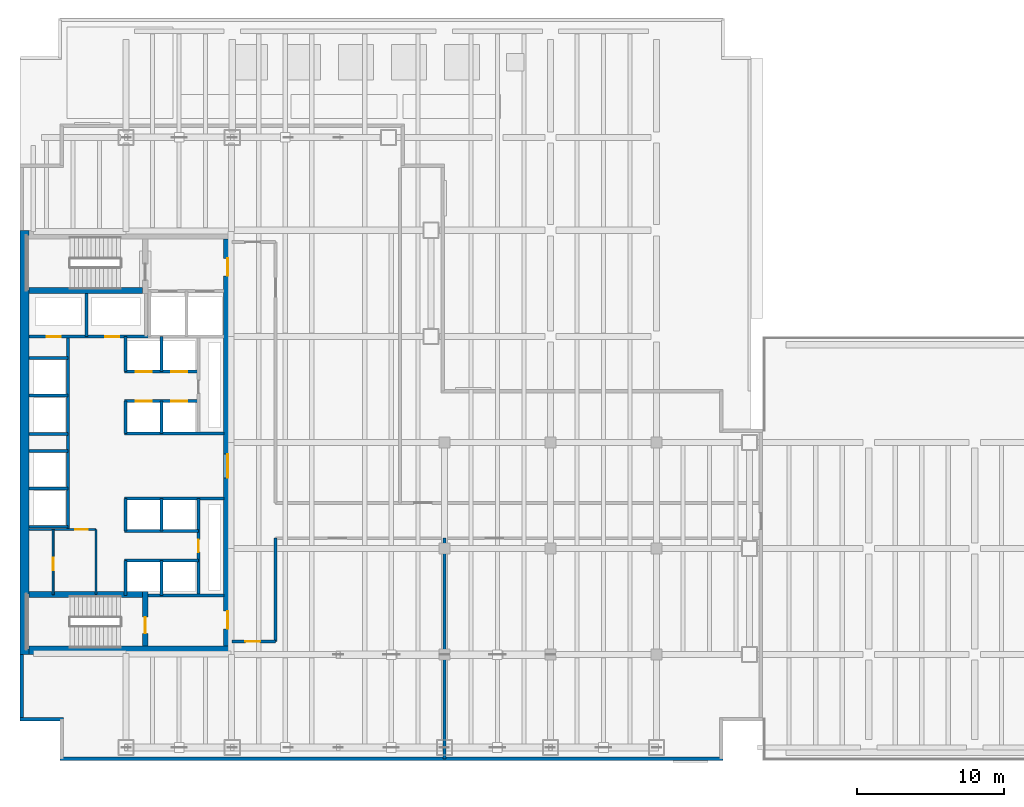
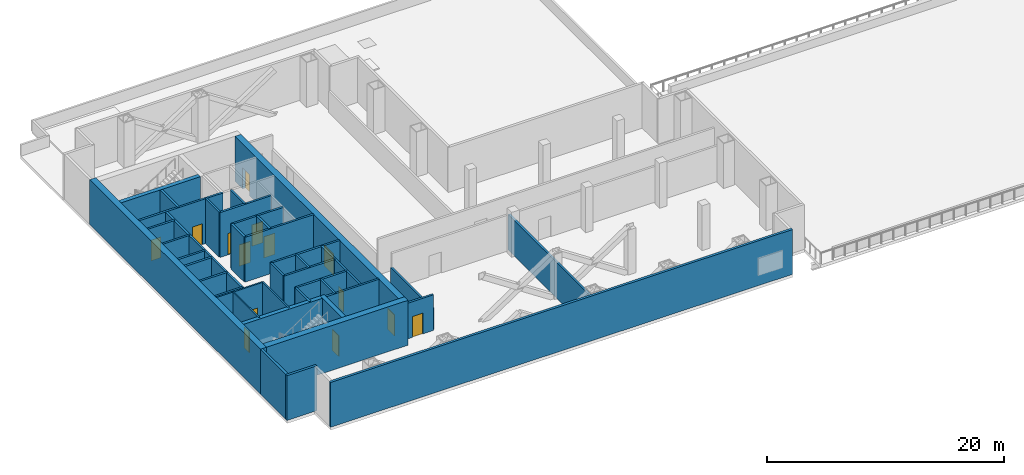
# One storey, part 7 of 12: 40 walls, 14 doors, 14 openings.
"""IFC4 building model written with IfcOpenShell, lengths in metres."""

from ifc_helpers import new_model, si_unit, direction, frame, frame_2d, origin, place, context, subcontext, project, spatial, rectangle, extrude, material, layer, layer_set, type_object, element, fill, save


model = new_model("IFC4")

# Units and contexts
model_context = context("Model", 3, precision=1e-05, world=origin(), true_north=direction((0.0, 1.0)))
body_context = subcontext(model_context, "Body", "Model", "MODEL_VIEW")
ifc_project = project(units=[si_unit("LENGTHUNIT", "METRE"), si_unit("AREAUNIT", "SQUARE_METRE"), si_unit("VOLUMEUNIT", "CUBIC_METRE"), si_unit("PLANEANGLEUNIT", "RADIAN"), si_unit("MASSUNIT", "GRAM", prefix="KILO")], contexts=[model_context])

# Site, building, storey
site_placement = place(None, origin())
site = spatial("IfcSite", under=ifc_project, at=site_placement, CompositionType="ELEMENT")
building_placement = place(site_placement, origin())
building = spatial("IfcBuilding", under=site, at=building_placement, Name="Cobrela Telecom Tower", CompositionType="ELEMENT")
storey_placement = place(building_placement, frame((0.0, 0.0, 26.25)))
storey = spatial("IfcBuildingStorey", under=building, at=storey_placement, Name="L06", CompositionType="ELEMENT", Elevation=26.25)

# Walls
ifc_material_1 = material(Name="Concrete C50/60", Category="concrete")
ifc_layer_1 = layer(ifc_material_1, 0.60009765625)
ifc_layer_set_1 = layer_set([ifc_layer_1], Name="Concrete C50/60")
wall_type_1 = type_object("IfcWallType", Name="WALL-CORE-C50-600", PredefinedType="SHEAR", material=ifc_layer_set_1)
wall_1_placement = place(storey_placement, frame((0.300048828125, 7.199951171875, 0.0), z_axis=(0.0, 0.0, 1.0), x_axis=(0.0, 1.0, 0.0)))
element("IfcWall", 1, at=wall_1_placement, inside=storey, type_object=wall_type_1, Name="L06 West Core Shear Wall", PredefinedType="SHEAR", context=body_context, shape_type="SweptSolid", body=[
    extrude(rectangle(XDim=28.800048828125, YDim=0.60009765625, at=frame_2d((14.39990234375, 0.0))), origin(), (0.0, 0.0, 1.0), 4.6201171875),
])
wall_2_placement = place(storey_placement, frame((0.60009765625, 7.5, 0.0), z_axis=(0.0, 0.0, 1.0), x_axis=(1.0, 0.0, 0.0)))
element("IfcWall", 2, at=wall_2_placement, inside=storey, type_object=wall_type_1, Name="L06 South Core Shear Wall", PredefinedType="SHEAR", context=body_context, shape_type="SweptSolid", body=[
    extrude(rectangle(XDim=13.7998046875, YDim=0.60009765625, at=frame_2d((6.89990234375, 0.0))), origin(), (0.0, 0.0, 1.0), 4.6201171875),
])

# Wall, openings, doors
wall_3_placement = place(storey_placement, frame((14.10009765625, 35.39990234375, 0.0), z_axis=(0.0, 0.0, 1.0), x_axis=(0.0, -1.0, 0.0)))
wall_3 = element("IfcWall", 3, at=wall_3_placement, inside=storey, type_object=wall_type_1, Name="L06 East Core Shear Wall", PredefinedType="SHEAR", context=body_context, shape_type="SweptSolid", body=[
    extrude(rectangle(XDim=27.599853515625, YDim=0.60009765625, at=frame_2d((13.7998046875, 0.0))), origin(), (0.0, 0.0, 1.0), 4.6201171875),
])
opening_1_placement = place(wall_3_placement, frame((1.300048828125, 0.0, 0.0)))
opening_1 = element("IfcOpeningElement", 4, at=opening_1_placement, cuts=wall_3, Name="Opening DR-19", PredefinedType="OPENING", context=body_context, shape_type="SweptSolid", body=[
    extrude(rectangle(XDim=1.199951171875, YDim=2.14990234375, at=frame_2d((0.60009765625, 1.074951171875))), frame((0.0, 0.31201171875, 0.0), z_axis=(0.0, -1.0, 0.0), x_axis=(1.0, 0.0, 0.0)), (0.0, 0.0, 1.0), 0.6240234375),
])
opening_2_placement = place(wall_3_placement, frame((25.25, 0.0, 0.0)))
opening_2 = element("IfcOpeningElement", 5, at=opening_2_placement, cuts=wall_3, Name="Opening DR-19", PredefinedType="OPENING", context=body_context, shape_type="SweptSolid", body=[
    extrude(rectangle(XDim=1.199951171875, YDim=2.14990234375, at=frame_2d((0.60009765625, 1.074951171875))), frame((0.0, 0.31201171875, 0.0), z_axis=(0.0, -1.0, 0.0), x_axis=(1.0, 0.0, 0.0)), (0.0, 0.0, 1.0), 0.6240234375),
])
opening_3_placement = place(wall_3_placement, frame((14.60009765625, 0.0, 0.0)))
opening_3 = element("IfcOpeningElement", 6, at=opening_3_placement, cuts=wall_3, Name="Opening DR-51", PredefinedType="OPENING", context=body_context, shape_type="SweptSolid", body=[
    extrude(rectangle(XDim=1.60009765625, YDim=2.199951171875, at=frame_2d((0.800048828125, 1.10009765625))), frame((0.0, 0.31201171875, 0.0), z_axis=(0.0, -1.0, 0.0), x_axis=(1.0, 0.0, 0.0)), (0.0, 0.0, 1.0), 0.6240234375),
])
ifc_material_2 = material(Name="Steel ASTM A36", Category="steel")
door_type_1 = type_object("IfcDoorType", Name="DOOR-FD60-1200", OperationType="SINGLE_SWING_LEFT", PredefinedType="DOOR", material=ifc_material_2)
door_1_placement = place(opening_1_placement, origin())
door_1 = element("IfcDoor", 7, at=door_1_placement, inside=storey, type_object=door_type_1, Name="L06 Door DR-19", OperationType="SINGLE_SWING_LEFT", OverallHeight=2.14990234375, OverallWidth=1.199951171875, PredefinedType="DOOR", context=body_context, shape_type="SweptSolid", body=[
    extrude(rectangle(XDim=1.199951171875, YDim=2.14990234375, at=frame_2d((0.60009765625, 1.074951171875))), frame((0.0, 0.02490234375, 0.0), z_axis=(0.0, -1.0, 0.0), x_axis=(1.0, 0.0, 0.0)), (0.0, 0.0, 1.0), 0.050048828125),
])
fill(opening_1, door_1)
door_2_placement = place(opening_2_placement, origin())
door_2 = element("IfcDoor", 8, at=door_2_placement, inside=storey, type_object=door_type_1, Name="L06 Door DR-19", OperationType="SINGLE_SWING_RIGHT", OverallHeight=2.14990234375, OverallWidth=1.199951171875, PredefinedType="DOOR", context=body_context, shape_type="SweptSolid", body=[
    extrude(rectangle(XDim=1.199951171875, YDim=2.14990234375, at=frame_2d((0.60009765625, 1.074951171875))), frame((0.0, 0.02490234375, 0.0), z_axis=(0.0, -1.0, 0.0), x_axis=(1.0, 0.0, 0.0)), (0.0, 0.0, 1.0), 0.050048828125),
])
fill(opening_2, door_2)
door_type_2 = type_object("IfcDoorType", Name="DOOR-FD60-1600", OperationType="SINGLE_SWING_LEFT", PredefinedType="DOOR", material=ifc_material_2)
door_3_placement = place(opening_3_placement, origin())
door_3 = element("IfcDoor", 9, at=door_3_placement, inside=storey, type_object=door_type_2, Name="L06 Door DR-51", OperationType="DOUBLE_DOOR_SINGLE_SWING", OverallHeight=2.199951171875, OverallWidth=1.60009765625, PredefinedType="DOOR", context=body_context, shape_type="SweptSolid", body=[
    extrude(rectangle(XDim=1.60009765625, YDim=2.199951171875, at=frame_2d((0.800048828125, 1.10009765625))), frame((0.0, 0.02490234375, 0.0), z_axis=(0.0, -1.0, 0.0), x_axis=(1.0, 0.0, 0.0)), (0.0, 0.0, 1.0), 0.050048828125),
])
fill(opening_3, door_3)

# Walls
ifc_material_3 = material(Name="Concrete C40/50", Category="concrete")
ifc_layer_2 = layer(ifc_material_3, 0.239990234375)
ifc_layer_set_2 = layer_set([ifc_layer_2], Name="Concrete C40/50")
wall_type_2 = type_object("IfcWallType", Name="WALL-EXT-300", PredefinedType="STANDARD", material=ifc_layer_set_2)
wall_4_placement = place(storey_placement, frame((2.93994140625, 2.820068359375, 0.0), z_axis=(0.0, 0.0, 1.0), x_axis=(-1.0, 0.0, 0.0)))
element("IfcWall", 10, at=wall_4_placement, inside=storey, type_object=wall_type_2, Name="L06 Plant Acoustic Exterior Wall 02", PredefinedType="STANDARD", context=body_context, shape_type="SweptSolid", body=[
    extrude(rectangle(XDim=2.93994140625, YDim=0.239990234375, at=frame_2d((1.469970703125, 0.0))), origin(), (0.0, 0.0, 1.0), 4.6201171875),
])
wall_5_placement = place(storey_placement, frame((0.1201171875, 2.820068359375, 0.0), z_axis=(0.0, 0.0, 1.0), x_axis=(0.0, 1.0, 0.0)))
element("IfcWall", 11, at=wall_5_placement, inside=storey, type_object=wall_type_2, Name="L06 Plant Acoustic Exterior Wall 03", PredefinedType="STANDARD", context=body_context, shape_type="SweptSolid", body=[
    extrude(rectangle(XDim=4.3798828125, YDim=0.239990234375, at=frame_2d((2.18994140625, 0.0))), origin(), (0.0, 0.0, 1.0), 4.6201171875),
])
wall_6_placement = place(storey_placement, frame((47.699951171875, 0.1201171875, 0.0), z_axis=(0.0, 0.0, 1.0), x_axis=(-1.0, 0.0, 0.0)))
element("IfcWall", 12, at=wall_6_placement, inside=storey, type_object=wall_type_2, Name="L06 Plant Acoustic Exterior Wall 17", PredefinedType="STANDARD", context=body_context, shape_type="SweptSolid", body=[
    extrude(rectangle(XDim=45.0, YDim=0.239990234375, at=frame_2d((22.5, 0.0))), origin(), (0.0, 0.0, 1.0), 4.6201171875),
])

# Wall, opening, door
ifc_material_4 = material(Name="Fire-Rated Gypsum Plasterboard")
ifc_layer_3 = layer(ifc_material_4, 0.125)
ifc_layer_set_3 = layer_set([ifc_layer_3], Name="Fire-Rated Gypsum Plasterboard")
wall_type_3 = type_object("IfcWallType", Name="WALL-PART-125", PredefinedType="PARTITIONING", material=ifc_layer_set_3)
wall_7_placement = place(storey_placement, frame((2.25, 11.280029296875, 0.0), z_axis=(0.0, 0.0, 1.0), x_axis=(0.0, 1.0, 0.0)))
wall_7 = element("IfcWall", 13, at=wall_7_placement, inside=storey, type_object=wall_type_3, Name="L06 Interior Partition CW-FK0-V", PredefinedType="PARTITIONING", context=body_context, shape_type="SweptSolid", body=[
    extrude(rectangle(XDim=4.419921875, YDim=0.125, at=frame_2d((2.2099609375, 0.0))), origin(), (0.0, 0.0, 1.0), 4.6201171875),
])
opening_4_placement = place(wall_7_placement, frame((1.64990234375, 0.0, 0.0)))
opening_4 = element("IfcOpeningElement", 14, at=opening_4_placement, cuts=wall_7, Name="Opening DR-11", PredefinedType="OPENING", context=body_context, shape_type="SweptSolid", body=[
    extrude(rectangle(XDim=0.85009765625, YDim=2.14990234375, at=frame_2d((0.425048828125, 1.074951171875))), frame((0.0, 0.074462890625, 0.0), z_axis=(0.0, -1.0, 0.0), x_axis=(1.0, 0.0, 0.0)), (0.0, 0.0, 1.0), 0.14892578125),
])
ifc_material_5 = material(Name="Solid Engineered Oak Timber", Category="wood")
door_type_3 = type_object("IfcDoorType", Name="DOOR-INT-850", OperationType="SINGLE_SWING_LEFT", PredefinedType="DOOR", material=ifc_material_5)
door_4_placement = place(opening_4_placement, origin())
door_4 = element("IfcDoor", 15, at=door_4_placement, inside=storey, type_object=door_type_3, Name="L06 Door DR-11", OperationType="SINGLE_SWING_LEFT", OverallHeight=2.14990234375, OverallWidth=0.85009765625, PredefinedType="DOOR", context=body_context, shape_type="SweptSolid", body=[
    extrude(rectangle(XDim=0.85009765625, YDim=2.14990234375, at=frame_2d((0.425048828125, 1.074951171875))), frame((0.0, 0.02490234375, 0.0), z_axis=(0.0, -1.0, 0.0), x_axis=(1.0, 0.0, 0.0)), (0.0, 0.0, 1.0), 0.050048828125),
])
fill(opening_4, door_4)

ifc_layer_4 = layer(ifc_material_4, 0.14990234375)
ifc_layer_set_4 = layer_set([ifc_layer_4], Name="Fire-Rated Gypsum Plasterboard")
wall_type_4 = type_object("IfcWallType", Name="WALL-PART-150", PredefinedType="PARTITIONING", material=ifc_layer_set_4)
wall_8_placement = place(storey_placement, frame((0.60009765625, 15.699951171875, 0.0), z_axis=(0.0, 0.0, 1.0), x_axis=(1.0, 0.0, 0.0)))
wall_8 = element("IfcWall", 16, at=wall_8_placement, inside=storey, type_object=wall_type_4, Name="L06 Interior Partition CW-FLEX-N", PredefinedType="PARTITIONING", context=body_context, shape_type="SweptSolid", body=[
    extrude(rectangle(XDim=4.5498046875, YDim=0.14990234375, at=frame_2d((2.27490234375, 0.0))), origin(), (0.0, 0.0, 1.0), 4.6201171875),
])
opening_5_placement = place(wall_8_placement, frame((3.14990234375, 0.0, 0.0)))
opening_5 = element("IfcOpeningElement", 17, at=opening_5_placement, cuts=wall_8, Name="Opening DR-11", PredefinedType="OPENING", context=body_context, shape_type="SweptSolid", body=[
    extrude(rectangle(XDim=0.85009765625, YDim=2.14990234375, at=frame_2d((0.425048828125, 1.074951171875))), frame((0.0, 0.0869140625, 0.0), z_axis=(0.0, -1.0, 0.0), x_axis=(1.0, 0.0, 0.0)), (0.0, 0.0, 1.0), 0.173828125),
])
door_5_placement = place(opening_5_placement, origin())
door_5 = element("IfcDoor", 18, at=door_5_placement, inside=storey, type_object=door_type_3, Name="L06 Door DR-11", OperationType="SINGLE_SWING_RIGHT", OverallHeight=2.14990234375, OverallWidth=0.85009765625, PredefinedType="DOOR", context=body_context, shape_type="SweptSolid", body=[
    extrude(rectangle(XDim=0.85009765625, YDim=2.14990234375, at=frame_2d((0.425048828125, 1.074951171875))), frame((0.0, 0.02490234375, 0.0), z_axis=(0.0, -1.0, 0.0), x_axis=(1.0, 0.0, 0.0)), (0.0, 0.0, 1.0), 0.050048828125),
])
fill(opening_5, door_5)

# Walls
wall_9_placement = place(storey_placement, frame((5.14990234375, 11.280029296875, 0.0), z_axis=(0.0, 0.0, 1.0), x_axis=(0.0, 1.0, 0.0)))
element("IfcWall", 19, at=wall_9_placement, inside=storey, type_object=wall_type_4, Name="L06 Interior Partition CW-FLEX-E", PredefinedType="PARTITIONING", context=body_context, shape_type="SweptSolid", body=[
    extrude(rectangle(XDim=4.419921875, YDim=0.14990234375, at=frame_2d((2.2099609375, 0.0))), origin(), (0.0, 0.0, 1.0), 4.6201171875),
])
ifc_layer_5 = layer(ifc_material_4, 0.199951171875)
ifc_layer_set_5 = layer_set([ifc_layer_5], Name="Fire-Rated Gypsum Plasterboard")
wall_type_5 = type_object("IfcWallType", Name="WALL-SHAFT-200", PredefinedType="PARTITIONING", material=ifc_layer_set_5)
wall_10_placement = place(storey_placement, frame((8.699951171875, 11.199951171875, 0.0), z_axis=(0.0, 0.0, 1.0), x_axis=(1.0, 0.0, 0.0)))
element("IfcWall", 20, at=wall_10_placement, inside=storey, type_object=wall_type_5, Name="L06 Shaft Enclosure CW-ST2L-N", PredefinedType="PARTITIONING", context=body_context, shape_type="SweptSolid", body=[
    extrude(rectangle(XDim=5.150146484375, YDim=0.199951171875, at=frame_2d((2.5751953125, 0.0))), origin(), (0.0, 0.0, 1.0), 4.6201171875),
])

# Wall, openings, doors
wall_11_placement = place(storey_placement, frame((0.60009765625, 28.780029296875, 0.0), z_axis=(0.0, 0.0, 1.0), x_axis=(1.0, 0.0, 0.0)))
wall_11 = element("IfcWall", 21, at=wall_11_placement, inside=storey, type_object=wall_type_5, Name="L06 Shaft Enclosure CW-RIS-S", PredefinedType="PARTITIONING", context=body_context, shape_type="SweptSolid", body=[
    extrude(rectangle(XDim=8.179931640625, YDim=0.199951171875, at=frame_2d((4.08984375, 0.0))), origin(), (0.0, 0.0, 1.0), 4.6201171875),
])
opening_6_placement = place(wall_11_placement, frame((1.2099609375, 0.0, 0.0)))
opening_6 = element("IfcOpeningElement", 22, at=opening_6_placement, cuts=wall_11, Name="Opening DR-65", PredefinedType="OPENING", context=body_context, shape_type="SweptSolid", body=[
    extrude(rectangle(XDim=0.949951171875, YDim=2.14990234375, at=frame_2d((0.47509765625, 1.074951171875))), frame((0.0, 0.11181640625, 0.0), z_axis=(0.0, -1.0, 0.0), x_axis=(1.0, 0.0, 0.0)), (0.0, 0.0, 1.0), 0.223876953125),
])
opening_7_placement = place(wall_11_placement, frame((5.18994140625, 0.0, 0.0)))
opening_7 = element("IfcOpeningElement", 23, at=opening_7_placement, cuts=wall_11, Name="Opening DR-65", PredefinedType="OPENING", context=body_context, shape_type="SweptSolid", body=[
    extrude(rectangle(XDim=0.949951171875, YDim=2.14990234375, at=frame_2d((0.47509765625, 1.074951171875))), frame((0.0, 0.11181640625, 0.0), z_axis=(0.0, -1.0, 0.0), x_axis=(1.0, 0.0, 0.0)), (0.0, 0.0, 1.0), 0.223876953125),
])
door_type_4 = type_object("IfcDoorType", Name="DOOR-FD60-950", OperationType="SINGLE_SWING_LEFT", PredefinedType="DOOR", material=ifc_material_2)
door_6_placement = place(opening_6_placement, origin())
door_6 = element("IfcDoor", 24, at=door_6_placement, inside=storey, type_object=door_type_4, Name="L06 Door DR-65", OperationType="SINGLE_SWING_LEFT", OverallHeight=2.14990234375, OverallWidth=0.949951171875, PredefinedType="DOOR", context=body_context, shape_type="SweptSolid", body=[
    extrude(rectangle(XDim=0.949951171875, YDim=2.14990234375, at=frame_2d((0.47509765625, 1.074951171875))), frame((0.0, 0.02490234375, 0.0), z_axis=(0.0, -1.0, 0.0), x_axis=(1.0, 0.0, 0.0)), (0.0, 0.0, 1.0), 0.050048828125),
])
fill(opening_6, door_6)
door_7_placement = place(opening_7_placement, origin())
door_7 = element("IfcDoor", 25, at=door_7_placement, inside=storey, type_object=door_type_4, Name="L06 Door DR-65", OperationType="SINGLE_SWING_RIGHT", OverallHeight=2.14990234375, OverallWidth=0.949951171875, PredefinedType="DOOR", context=body_context, shape_type="SweptSolid", body=[
    extrude(rectangle(XDim=0.949951171875, YDim=2.14990234375, at=frame_2d((0.47509765625, 1.074951171875))), frame((0.0, 0.02490234375, 0.0), z_axis=(0.0, -1.0, 0.0), x_axis=(1.0, 0.0, 0.0)), (0.0, 0.0, 1.0), 0.050048828125),
])
fill(opening_7, door_7)

# Walls
wall_12_placement = place(storey_placement, frame((4.5, 28.780029296875, 0.0), z_axis=(0.0, 0.0, 1.0), x_axis=(0.0, 1.0, 0.0)))
element("IfcWall", 26, at=wall_12_placement, inside=storey, type_object=wall_type_5, Name="L06 Shaft Enclosure CW-RIS-M", PredefinedType="PARTITIONING", context=body_context, shape_type="SweptSolid", body=[
    extrude(rectangle(XDim=2.93994140625, YDim=0.199951171875, at=frame_2d((1.469970703125, 0.0))), origin(), (0.0, 0.0, 1.0), 4.6201171875),
])
wall_13_placement = place(storey_placement, frame((3.25, 15.699951171875, 0.0), z_axis=(0.0, 0.0, 1.0), x_axis=(0.0, 1.0, 0.0)))
element("IfcWall", 27, at=wall_13_placement, inside=storey, type_object=wall_type_5, Name="L06 Shaft Enclosure CW-PLH-E", PredefinedType="PARTITIONING", context=body_context, shape_type="SweptSolid", body=[
    extrude(rectangle(XDim=13.080078125, YDim=0.199951171875, at=frame_2d((6.5400390625, 0.0))), origin(), (0.0, 0.0, 1.0), 4.6201171875),
])
for number, where, z_axis, x_axis, name in (
    (28, (0.60009765625, 15.8798828125, 0.0), (0.0, 0.0, 1.0), (1.0, 0.0, 0.0), "L06 Shaft Enclosure CW-PLH-D9"),
    (29, (0.60009765625, 18.47998046875, 0.0), (0.0, 0.0, 1.0), (1.0, 0.0, 0.0), "L06 Shaft Enclosure CW-PLH-D10"),
    (30, (0.60009765625, 22.179931640625, 0.0), (0.0, 0.0, 1.0), (1.0, 0.0, 0.0), "L06 Shaft Enclosure CW-PLH-D11"),
    (31, (0.60009765625, 24.780029296875, 0.0), (0.0, 0.0, 1.0), (1.0, 0.0, 0.0), "L06 Shaft Enclosure CW-PLH-D12"),
    (32, (0.60009765625, 21.02001953125, 0.0), (0.0, 0.0, 1.0), (1.0, 0.0, 0.0), "L06 Shaft Enclosure CW-PLH-MID"),
    (33, (0.60009765625, 27.320068359375, 0.0), (0.0, 0.0, 1.0), (1.0, 0.0, 0.0), "L06 Shaft Enclosure CW-PLH-TOP"),
):
    element("IfcWall", number, at=place(storey_placement, frame(where, z_axis=z_axis, x_axis=x_axis)), inside=storey, type_object=wall_type_5, Name=name, PredefinedType="PARTITIONING", context=body_context, shape_type="SweptSolid", body=[
        extrude(rectangle(XDim=2.64990234375, YDim=0.199951171875, at=frame_2d((1.324951171875, 0.0))), origin(), (0.0, 0.0, 1.0), 4.6201171875),
    ])
wall_14_placement = place(storey_placement, frame((7.10009765625, 22.199951171875, 0.0), z_axis=(0.0, 0.0, 1.0), x_axis=(1.0, 0.0, 0.0)))
element("IfcWall", 34, at=wall_14_placement, inside=storey, type_object=wall_type_5, Name="L06 Shaft Enclosure CW-PLL-B0", PredefinedType="PARTITIONING", context=body_context, shape_type="SweptSolid", body=[
    extrude(rectangle(XDim=6.75, YDim=0.199951171875, at=frame_2d((3.375, 0.0))), origin(), (0.0, 0.0, 1.0), 4.6201171875),
])

# Wall, openings, doors
wall_15_placement = place(storey_placement, frame((7.10009765625, 24.39990234375, 0.0), z_axis=(0.0, 0.0, 1.0), x_axis=(1.0, 0.0, 0.0)))
wall_15 = element("IfcWall", 35, at=wall_15_placement, inside=storey, type_object=wall_type_5, Name="L06 Shaft Enclosure CW-PLL-S", PredefinedType="PARTITIONING", context=body_context, shape_type="SweptSolid", body=[
    extrude(rectangle(XDim=5.02001953125, YDim=0.199951171875, at=frame_2d((2.510009765625, 0.0))), origin(), (0.0, 0.0, 1.0), 4.6201171875),
])
opening_8_placement = place(wall_15_placement, frame((0.75, 0.0, 0.0)))
opening_8 = element("IfcOpeningElement", 36, at=opening_8_placement, cuts=wall_15, Name="Opening LD-1", PredefinedType="OPENING", context=body_context, shape_type="SweptSolid", body=[
    extrude(rectangle(XDim=1.10009765625, YDim=2.199951171875, at=frame_2d((0.550048828125, 1.10009765625))), frame((0.0, 0.11181640625, 0.0), z_axis=(0.0, -1.0, 0.0), x_axis=(1.0, 0.0, 0.0)), (0.0, 0.0, 1.0), 0.223876953125),
])
opening_9_placement = place(wall_15_placement, frame((3.14990234375, 0.0, 0.0)))
opening_9 = element("IfcOpeningElement", 37, at=opening_9_placement, cuts=wall_15, Name="Opening LD-1", PredefinedType="OPENING", context=body_context, shape_type="SweptSolid", body=[
    extrude(rectangle(XDim=1.10009765625, YDim=2.199951171875, at=frame_2d((0.550048828125, 1.10009765625))), frame((0.0, 0.11181640625, 0.0), z_axis=(0.0, -1.0, 0.0), x_axis=(1.0, 0.0, 0.0)), (0.0, 0.0, 1.0), 0.223876953125),
])
door_type_5 = type_object("IfcDoorType", Name="DOOR-LD-PL", OperationType="SINGLE_SWING_LEFT", PredefinedType="DOOR", material=ifc_material_2)
door_8_placement = place(opening_8_placement, origin())
door_8 = element("IfcDoor", 38, at=door_8_placement, inside=storey, type_object=door_type_5, Name="L06 Lift Landing Door LD-1", OperationType="DOUBLE_DOOR_SLIDING", OverallHeight=2.199951171875, OverallWidth=1.10009765625, PredefinedType="DOOR", context=body_context, shape_type="SweptSolid", body=[
    extrude(rectangle(XDim=1.10009765625, YDim=2.199951171875, at=frame_2d((0.550048828125, 1.10009765625))), frame((0.0, 0.02490234375, 0.0), z_axis=(0.0, -1.0, 0.0), x_axis=(1.0, 0.0, 0.0)), (0.0, 0.0, 1.0), 0.050048828125),
])
fill(opening_8, door_8)
door_9_placement = place(opening_9_placement, origin())
door_9 = element("IfcDoor", 39, at=door_9_placement, inside=storey, type_object=door_type_5, Name="L06 Lift Landing Door LD-1", OperationType="DOUBLE_DOOR_SLIDING", OverallHeight=2.199951171875, OverallWidth=1.10009765625, PredefinedType="DOOR", context=body_context, shape_type="SweptSolid", body=[
    extrude(rectangle(XDim=1.10009765625, YDim=2.199951171875, at=frame_2d((0.550048828125, 1.10009765625))), frame((0.0, 0.02490234375, 0.0), z_axis=(0.0, -1.0, 0.0), x_axis=(1.0, 0.0, 0.0)), (0.0, 0.0, 1.0), 0.050048828125),
])
fill(opening_9, door_9)

wall_16_placement = place(storey_placement, frame((7.10009765625, 26.39990234375, 0.0), z_axis=(0.0, 0.0, 1.0), x_axis=(1.0, 0.0, 0.0)))
wall_16 = element("IfcWall", 40, at=wall_16_placement, inside=storey, type_object=wall_type_5, Name="L06 Shaft Enclosure CW-PLL-N", PredefinedType="PARTITIONING", context=body_context, shape_type="SweptSolid", body=[
    extrude(rectangle(XDim=5.02001953125, YDim=0.199951171875, at=frame_2d((2.510009765625, 0.0))), origin(), (0.0, 0.0, 1.0), 4.6201171875),
])
opening_10_placement = place(wall_16_placement, frame((0.75, 0.0, 0.0)))
opening_10 = element("IfcOpeningElement", 41, at=opening_10_placement, cuts=wall_16, Name="Opening LD-1", PredefinedType="OPENING", context=body_context, shape_type="SweptSolid", body=[
    extrude(rectangle(XDim=1.10009765625, YDim=2.199951171875, at=frame_2d((0.550048828125, 1.10009765625))), frame((0.0, 0.11181640625, 0.0), z_axis=(0.0, -1.0, 0.0), x_axis=(1.0, 0.0, 0.0)), (0.0, 0.0, 1.0), 0.223876953125),
])
opening_11_placement = place(wall_16_placement, frame((3.14990234375, 0.0, 0.0)))
opening_11 = element("IfcOpeningElement", 42, at=opening_11_placement, cuts=wall_16, Name="Opening LD-1", PredefinedType="OPENING", context=body_context, shape_type="SweptSolid", body=[
    extrude(rectangle(XDim=1.10009765625, YDim=2.199951171875, at=frame_2d((0.550048828125, 1.10009765625))), frame((0.0, 0.11181640625, 0.0), z_axis=(0.0, -1.0, 0.0), x_axis=(1.0, 0.0, 0.0)), (0.0, 0.0, 1.0), 0.223876953125),
])
door_10_placement = place(opening_10_placement, origin())
door_10 = element("IfcDoor", 43, at=door_10_placement, inside=storey, type_object=door_type_5, Name="L06 Lift Landing Door LD-1", OperationType="DOUBLE_DOOR_SLIDING", OverallHeight=2.199951171875, OverallWidth=1.10009765625, PredefinedType="DOOR", context=body_context, shape_type="SweptSolid", body=[
    extrude(rectangle(XDim=1.10009765625, YDim=2.199951171875, at=frame_2d((0.550048828125, 1.10009765625))), frame((0.0, 0.02490234375, 0.0), z_axis=(0.0, -1.0, 0.0), x_axis=(1.0, 0.0, 0.0)), (0.0, 0.0, 1.0), 0.050048828125),
])
fill(opening_10, door_10)
door_11_placement = place(opening_11_placement, origin())
door_11 = element("IfcDoor", 44, at=door_11_placement, inside=storey, type_object=door_type_5, Name="L06 Lift Landing Door LD-1", OperationType="DOUBLE_DOOR_SLIDING", OverallHeight=2.199951171875, OverallWidth=1.10009765625, PredefinedType="DOOR", context=body_context, shape_type="SweptSolid", body=[
    extrude(rectangle(XDim=1.10009765625, YDim=2.199951171875, at=frame_2d((0.550048828125, 1.10009765625))), frame((0.0, 0.02490234375, 0.0), z_axis=(0.0, -1.0, 0.0), x_axis=(1.0, 0.0, 0.0)), (0.0, 0.0, 1.0), 0.050048828125),
])
fill(opening_11, door_11)

# Walls
wall_17_placement = place(storey_placement, frame((7.14990234375, 22.199951171875, 0.0), z_axis=(0.0, 0.0, 1.0), x_axis=(0.0, 1.0, 0.0)))
element("IfcWall", 45, at=wall_17_placement, inside=storey, type_object=wall_type_5, Name="L06 Shaft Enclosure CW-PLL-V1", PredefinedType="PARTITIONING", context=body_context, shape_type="SweptSolid", body=[
    extrude(rectangle(XDim=2.199951171875, YDim=0.199951171875, at=frame_2d((1.10009765625, 0.0))), origin(), (0.0, 0.0, 1.0), 4.6201171875),
])
wall_18_placement = place(storey_placement, frame((7.14990234375, 26.39990234375, 0.0), z_axis=(0.0, 0.0, 1.0), x_axis=(0.0, 1.0, 0.0)))
element("IfcWall", 46, at=wall_18_placement, inside=storey, type_object=wall_type_5, Name="L06 Shaft Enclosure CW-PLL-V1B", PredefinedType="PARTITIONING", context=body_context, shape_type="SweptSolid", body=[
    extrude(rectangle(XDim=2.380126953125, YDim=0.199951171875, at=frame_2d((1.18994140625, 0.0))), origin(), (0.0, 0.0, 1.0), 4.6201171875),
])
wall_19_placement = place(storey_placement, frame((9.60009765625, 22.199951171875, 0.0), z_axis=(0.0, 0.0, 1.0), x_axis=(0.0, 1.0, 0.0)))
element("IfcWall", 47, at=wall_19_placement, inside=storey, type_object=wall_type_5, Name="L06 Shaft Enclosure CW-PLL-V2", PredefinedType="PARTITIONING", context=body_context, shape_type="SweptSolid", body=[
    extrude(rectangle(XDim=2.199951171875, YDim=0.199951171875, at=frame_2d((1.10009765625, 0.0))), origin(), (0.0, 0.0, 1.0), 4.6201171875),
])
wall_20_placement = place(storey_placement, frame((9.60009765625, 26.39990234375, 0.0), z_axis=(0.0, 0.0, 1.0), x_axis=(0.0, 1.0, 0.0)))
element("IfcWall", 48, at=wall_20_placement, inside=storey, type_object=wall_type_5, Name="L06 Shaft Enclosure CW-PLL-V2B", PredefinedType="PARTITIONING", context=body_context, shape_type="SweptSolid", body=[
    extrude(rectangle(XDim=2.380126953125, YDim=0.199951171875, at=frame_2d((1.18994140625, 0.0))), origin(), (0.0, 0.0, 1.0), 4.6201171875),
])
wall_21_placement = place(storey_placement, frame((7.10009765625, 17.800048828125, 0.0), z_axis=(0.0, 0.0, 1.0), x_axis=(1.0, 0.0, 0.0)))
element("IfcWall", 49, at=wall_21_placement, inside=storey, type_object=wall_type_5, Name="L06 Shaft Enclosure CW-PLM-T0", PredefinedType="PARTITIONING", context=body_context, shape_type="SweptSolid", body=[
    extrude(rectangle(XDim=6.75, YDim=0.199951171875, at=frame_2d((3.375, 0.0))), origin(), (0.0, 0.0, 1.0), 4.6201171875),
])
for number, where, z_axis, x_axis, name in (
    (50, (7.10009765625, 15.60009765625, 0.0), (0.0, 0.0, 1.0), (1.0, 0.0, 0.0), "L06 Shaft Enclosure CW-PLM-N"),
    (51, (7.10009765625, 13.60009765625, 0.0), (0.0, 0.0, 1.0), (1.0, 0.0, 0.0), "L06 Shaft Enclosure CW-PLM-S"),
):
    element("IfcWall", number, at=place(storey_placement, frame(where, z_axis=z_axis, x_axis=x_axis)), inside=storey, type_object=wall_type_5, Name=name, PredefinedType="PARTITIONING", context=body_context, shape_type="SweptSolid", body=[
        extrude(rectangle(XDim=5.02001953125, YDim=0.199951171875, at=frame_2d((2.510009765625, 0.0))), origin(), (0.0, 0.0, 1.0), 4.6201171875),
    ])
wall_22_placement = place(storey_placement, frame((7.14990234375, 15.60009765625, 0.0), z_axis=(0.0, 0.0, 1.0), x_axis=(0.0, 1.0, 0.0)))
element("IfcWall", 52, at=wall_22_placement, inside=storey, type_object=wall_type_5, Name="L06 Shaft Enclosure CW-PLM-V1", PredefinedType="PARTITIONING", context=body_context, shape_type="SweptSolid", body=[
    extrude(rectangle(XDim=2.199951171875, YDim=0.199951171875, at=frame_2d((1.10009765625, 0.0))), origin(), (0.0, 0.0, 1.0), 4.6201171875),
])
wall_23_placement = place(storey_placement, frame((7.14990234375, 11.199951171875, 0.0), z_axis=(0.0, 0.0, 1.0), x_axis=(0.0, 1.0, 0.0)))
element("IfcWall", 53, at=wall_23_placement, inside=storey, type_object=wall_type_5, Name="L06 Shaft Enclosure CW-PLM-V1B", PredefinedType="PARTITIONING", context=body_context, shape_type="SweptSolid", body=[
    extrude(rectangle(XDim=2.400146484375, YDim=0.199951171875, at=frame_2d((1.2001953125, 0.0))), origin(), (0.0, 0.0, 1.0), 4.6201171875),
])
wall_24_placement = place(storey_placement, frame((9.60009765625, 15.60009765625, 0.0), z_axis=(0.0, 0.0, 1.0), x_axis=(0.0, 1.0, 0.0)))
element("IfcWall", 54, at=wall_24_placement, inside=storey, type_object=wall_type_5, Name="L06 Shaft Enclosure CW-PLM-V2", PredefinedType="PARTITIONING", context=body_context, shape_type="SweptSolid", body=[
    extrude(rectangle(XDim=2.199951171875, YDim=0.199951171875, at=frame_2d((1.10009765625, 0.0))), origin(), (0.0, 0.0, 1.0), 4.6201171875),
])
wall_25_placement = place(storey_placement, frame((9.60009765625, 11.199951171875, 0.0), z_axis=(0.0, 0.0, 1.0), x_axis=(0.0, 1.0, 0.0)))
element("IfcWall", 55, at=wall_25_placement, inside=storey, type_object=wall_type_5, Name="L06 Shaft Enclosure CW-PLM-V2B", PredefinedType="PARTITIONING", context=body_context, shape_type="SweptSolid", body=[
    extrude(rectangle(XDim=2.400146484375, YDim=0.199951171875, at=frame_2d((1.2001953125, 0.0))), origin(), (0.0, 0.0, 1.0), 4.6201171875),
])

# Wall, opening, door
wall_26_placement = place(storey_placement, frame((12.1201171875, 11.199951171875, 0.0), z_axis=(0.0, 0.0, 1.0), x_axis=(0.0, 1.0, 0.0)))
wall_26 = element("IfcWall", 56, at=wall_26_placement, inside=storey, type_object=wall_type_5, Name="L06 Shaft Enclosure CW-PLM-V3", PredefinedType="PARTITIONING", context=body_context, shape_type="SweptSolid", body=[
    extrude(rectangle(XDim=6.60009765625, YDim=0.199951171875, at=frame_2d((3.300048828125, 0.0))), origin(), (0.0, 0.0, 1.0), 4.6201171875),
])
opening_12_placement = place(wall_26_placement, frame((2.949951171875, 0.0, 0.0)))
opening_12 = element("IfcOpeningElement", 57, at=opening_12_placement, cuts=wall_26, Name="Opening DR-11", PredefinedType="OPENING", context=body_context, shape_type="SweptSolid", body=[
    extrude(rectangle(XDim=0.85009765625, YDim=2.14990234375, at=frame_2d((0.425048828125, 1.074951171875))), frame((0.0, 0.11181640625, 0.0), z_axis=(0.0, -1.0, 0.0), x_axis=(1.0, 0.0, 0.0)), (0.0, 0.0, 1.0), 0.223876953125),
])
door_12_placement = place(opening_12_placement, origin())
door_12 = element("IfcDoor", 58, at=door_12_placement, inside=storey, type_object=door_type_3, Name="L06 Door DR-11", OperationType="SINGLE_SWING_RIGHT", OverallHeight=2.14990234375, OverallWidth=0.85009765625, PredefinedType="DOOR", context=body_context, shape_type="SweptSolid", body=[
    extrude(rectangle(XDim=0.85009765625, YDim=2.14990234375, at=frame_2d((0.425048828125, 1.074951171875))), frame((0.0, 0.02490234375, 0.0), z_axis=(0.0, -1.0, 0.0), x_axis=(1.0, 0.0, 0.0)), (0.0, 0.0, 1.0), 0.050048828125),
])
fill(opening_12, door_12)

wall_27_placement = place(storey_placement, frame((14.39990234375, 8.10009765625, 0.0), z_axis=(0.0, 0.0, 1.0), x_axis=(1.0, 0.0, 0.0)))
wall_27 = element("IfcWall", 59, at=wall_27_placement, inside=storey, type_object=wall_type_5, Name="L06 Shaft Enclosure W-MP-S0", PredefinedType="PARTITIONING", context=body_context, shape_type="SweptSolid", body=[
    extrude(rectangle(XDim=2.9501953125, YDim=0.199951171875, at=frame_2d((1.47509765625, 0.0))), origin(), (0.0, 0.0, 1.0), 3.677978515625),
])
opening_13_placement = place(wall_27_placement, frame((0.89990234375, 0.0, 0.0)))
opening_13 = element("IfcOpeningElement", 60, at=opening_13_placement, cuts=wall_27, Name="Opening DR-15", PredefinedType="OPENING", context=body_context, shape_type="SweptSolid", body=[
    extrude(rectangle(XDim=1.0, YDim=2.14990234375, at=frame_2d((0.5, 1.074951171875))), frame((0.0, 0.11181640625, 0.0), z_axis=(0.0, -1.0, 0.0), x_axis=(1.0, 0.0, 0.0)), (0.0, 0.0, 1.0), 0.223876953125),
])
door_type_6 = type_object("IfcDoorType", Name="DOOR-FD60-1000", OperationType="SINGLE_SWING_LEFT", PredefinedType="DOOR", material=ifc_material_2)
door_13_placement = place(opening_13_placement, origin())
door_13 = element("IfcDoor", 61, at=door_13_placement, inside=storey, type_object=door_type_6, Name="L06 Door DR-15", OperationType="SINGLE_SWING_LEFT", OverallHeight=2.14990234375, OverallWidth=1.0, PredefinedType="DOOR", context=body_context, shape_type="SweptSolid", body=[
    extrude(rectangle(XDim=1.0, YDim=2.14990234375, at=frame_2d((0.5, 1.074951171875))), frame((0.0, 0.02490234375, 0.0), z_axis=(0.0, -1.0, 0.0), x_axis=(1.0, 0.0, 0.0)), (0.0, 0.0, 1.0), 0.050048828125),
])
fill(opening_13, door_13)

# Walls
wall_28_placement = place(storey_placement, frame((17.35009765625, 8.10009765625, 0.0), z_axis=(0.0, 0.0, 1.0), x_axis=(0.0, 1.0, 0.0)))
element("IfcWall", 62, at=wall_28_placement, inside=storey, type_object=wall_type_5, Name="L06 Shaft Enclosure W-MP-E1", PredefinedType="PARTITIONING", context=body_context, shape_type="SweptSolid", body=[
    extrude(rectangle(XDim=7.0, YDim=0.199951171875, at=frame_2d((3.5, 0.0))), origin(), (0.0, 0.0, 1.0), 2.205078125),
])
wall_29_placement = place(storey_placement, frame((28.800048828125, 0.1201171875, 0.0), z_axis=(0.0, 0.0, 1.0), x_axis=(0.0, 1.0, 0.0)))
element("IfcWall", 63, at=wall_29_placement, inside=storey, type_object=wall_type_5, Name="L06 Shaft Enclosure W-MP-V1", PredefinedType="PARTITIONING", context=body_context, shape_type="SweptSolid", body=[
    extrude(rectangle(XDim=14.97998046875, YDim=0.199951171875, at=frame_2d((7.489990234375, 0.0))), origin(), (0.0, 0.0, 1.0), 3.677978515625),
])
ifc_layer_6 = layer(ifc_material_3, 0.39990234375)
ifc_layer_set_6 = layer_set([ifc_layer_6], Name="Concrete C40/50")
wall_type_6 = type_object("IfcWallType", Name="WALL-SHAFT-C40-400", PredefinedType="SHEAR", material=ifc_layer_set_6)
for number, where, z_axis, x_axis, name in (
    (64, (0.60009765625, 31.919921875, 0.0), (0.0, 0.0, 1.0), (1.0, 0.0, 0.0), "L06 North Stair Shear Wall"),
    (65, (0.60009765625, 11.280029296875, 0.0), (0.0, 0.0, 1.0), (1.0, 0.0, 0.0), "L06 South Stair Shear Wall"),
):
    element("IfcWall", number, at=place(storey_placement, frame(where, z_axis=z_axis, x_axis=x_axis)), inside=storey, type_object=wall_type_6, Name=name, PredefinedType="SHEAR", context=body_context, shape_type="SweptSolid", body=[
        extrude(rectangle(XDim=7.699951171875, YDim=0.39990234375, at=frame_2d((3.85009765625, 0.0))), origin(), (0.0, 0.0, 1.0), 4.6201171875),
    ])

# Wall, opening, door
wall_30_placement = place(storey_placement, frame((8.5, 7.800048828125, 0.0), z_axis=(0.0, 0.0, 1.0), x_axis=(0.0, 1.0, 0.0)))
wall_30 = element("IfcWall", 66, at=wall_30_placement, inside=storey, type_object=wall_type_6, Name="L06 South Stair Lobby Shear Wall", PredefinedType="SHEAR", context=body_context, shape_type="SweptSolid", body=[
    extrude(rectangle(XDim=3.679931640625, YDim=0.39990234375, at=frame_2d((1.83984375, 0.0))), origin(), (0.0, 0.0, 1.0), 4.6201171875),
])
opening_14_placement = place(wall_30_placement, frame((0.85009765625, 0.0, 0.0)))
opening_14 = element("IfcOpeningElement", 67, at=opening_14_placement, cuts=wall_30, Name="Opening FD-90", PredefinedType="OPENING", context=body_context, shape_type="SweptSolid", body=[
    extrude(rectangle(XDim=1.10009765625, YDim=2.14990234375, at=frame_2d((0.550048828125, 1.074951171875))), frame((0.0, 0.2119140625, 0.0), z_axis=(0.0, -1.0, 0.0), x_axis=(1.0, 0.0, 0.0)), (0.0, 0.0, 1.0), 0.423828125),
])
door_type_7 = type_object("IfcDoorType", Name="DOOR-FD90-1100", OperationType="SINGLE_SWING_LEFT", PredefinedType="DOOR", material=ifc_material_2)
door_14_placement = place(opening_14_placement, origin())
door_14 = element("IfcDoor", 68, at=door_14_placement, inside=storey, type_object=door_type_7, Name="L06 Door FD-90", OperationType="SINGLE_SWING_LEFT", OverallHeight=2.14990234375, OverallWidth=1.10009765625, PredefinedType="DOOR", context=body_context, shape_type="SweptSolid", body=[
    extrude(rectangle(XDim=1.10009765625, YDim=2.14990234375, at=frame_2d((0.550048828125, 1.074951171875))), frame((0.0, 0.02490234375, 0.0), z_axis=(0.0, -1.0, 0.0), x_axis=(1.0, 0.0, 0.0)), (0.0, 0.0, 1.0), 0.050048828125),
])
fill(opening_14, door_14)

save(model, "model.ifc")
